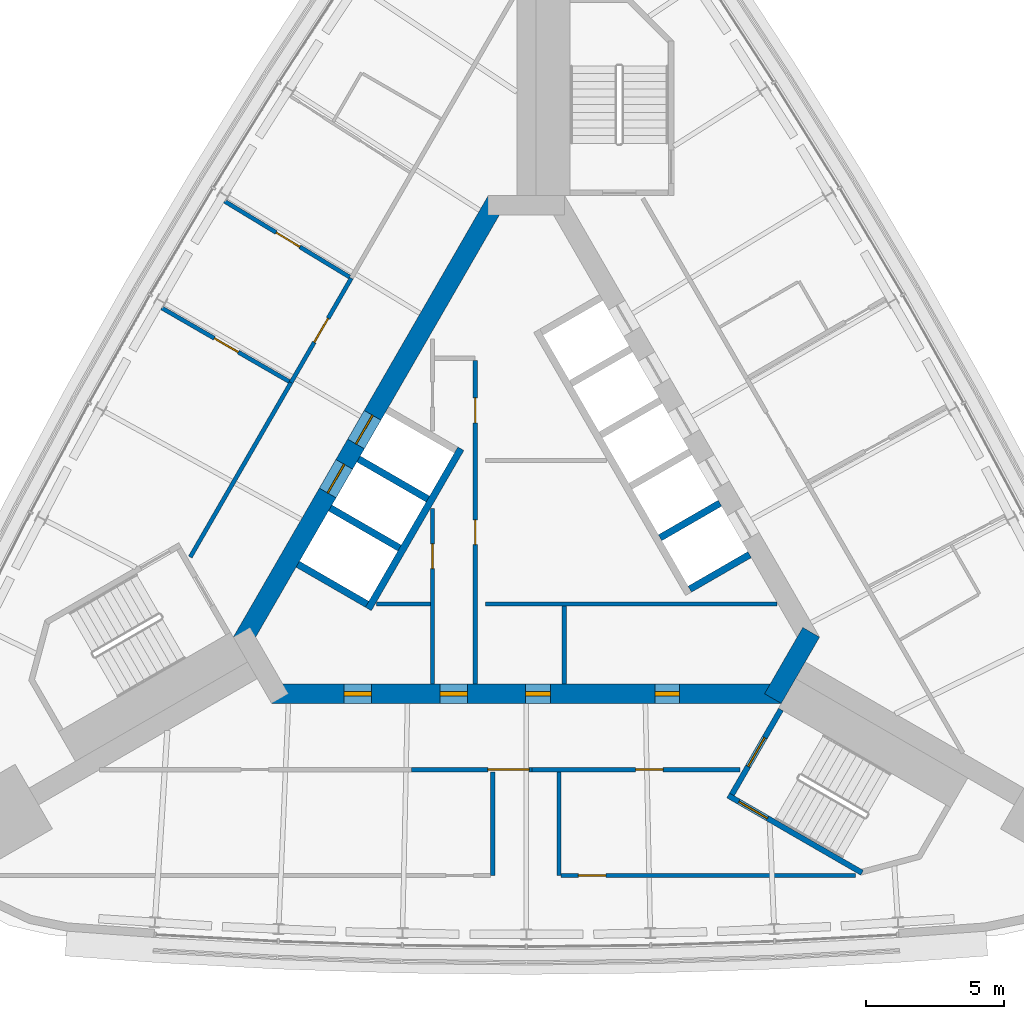
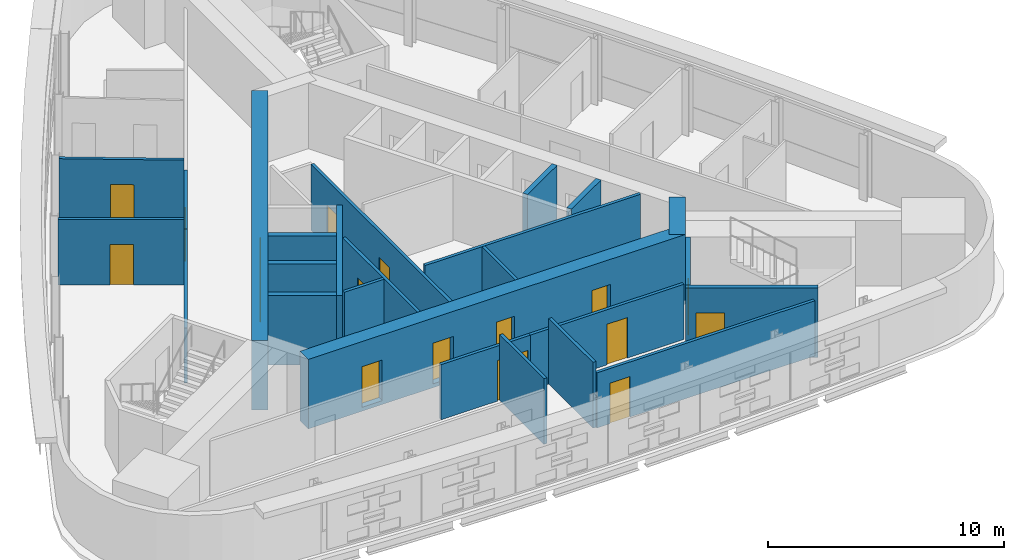
# One storey, part 7 of 10: 25 walls, 17 doors, 17 openings.
"""IFC4 building model written with IfcOpenShell, lengths in metres."""

from ifc_helpers import new_model, si_unit, direction, frame, frame_2d, origin, place, context, subcontext, project, spatial, rectangle, extrude, material, layer, layer_set, type_object, element, fill, save


model = new_model("IFC4")

# Units and contexts
model_context = context("Model", 3, precision=1e-05, world=origin(), true_north=direction((0.0, 1.0)))
body_context = subcontext(model_context, "Body", "Model", "MODEL_VIEW")
ifc_project = project(units=[si_unit("LENGTHUNIT", "METRE"), si_unit("AREAUNIT", "SQUARE_METRE"), si_unit("VOLUMEUNIT", "CUBIC_METRE"), si_unit("PLANEANGLEUNIT", "RADIAN"), si_unit("MASSUNIT", "GRAM", prefix="KILO")], contexts=[model_context])

# Site, building, storey
site_placement = place(None, origin())
site = spatial("IfcSite", under=ifc_project, at=site_placement, CompositionType="ELEMENT")
building_placement = place(site_placement, origin())
building = spatial("IfcBuilding", under=site, at=building_placement, Name="Noor Cloister Tower", CompositionType="ELEMENT")
storey_placement = place(building_placement, frame((0.0, 0.0, 192.300048828125)))
storey = spatial("IfcBuildingStorey", under=building, at=storey_placement, Name="L49", CompositionType="ELEMENT", Elevation=192.300048828125)

# Wall
ifc_material_1 = material(Name="Concrete C30/37", Category="concrete")
ifc_layer_1 = layer(ifc_material_1, 0.14990234375)
ifc_layer_set_1 = layer_set([ifc_layer_1], Name="Core partition 150 C30/37")
wall_type_1 = type_object("IfcWallType", Name="Core partition 150 C30/37", PredefinedType="PARTITIONING", material=ifc_layer_set_1)
wall_1_placement = place(storey_placement, frame((-5.430908203125, -3.328125, 0.0), z_axis=(0.0, 0.0, 1.0), x_axis=(1.0, 0.0, 0.0)))
element("IfcWall", 1, at=wall_1_placement, inside=storey, type_object=wall_type_1, Name="Core room partition L49 1", PredefinedType="PARTITIONING", context=body_context, shape_type="SweptSolid", body=[
    extrude(rectangle(XDim=1.9521484375, YDim=0.14990234375, at=frame_2d((0.97607421875, 0.0))), origin(), (0.0, 0.0, 1.0), 3.39990234375),
])

# Wall, opening, door
wall_2_placement = place(storey_placement, frame((-3.40380859375, 0.131103515625, 0.0), z_axis=(0.0, 0.0, 1.0), x_axis=(0.0, -1.0, 0.0)))
wall_2 = element("IfcWall", 2, at=wall_2_placement, inside=storey, type_object=wall_type_1, Name="Core room partition L49 2", PredefinedType="PARTITIONING", context=body_context, shape_type="SweptSolid", body=[
    extrude(rectangle(XDim=6.359375, YDim=0.14990234375, at=frame_2d((3.1796875, 0.0))), origin(), (0.0, 0.0, 1.0), 3.39990234375),
])
opening_1_placement = place(wall_2_placement, frame((1.280517578125, 0.0, 0.0)))
opening_1 = element("IfcOpeningElement", 3, at=opening_1_placement, cuts=wall_2, Name="Opening L49-905", PredefinedType="OPENING", context=body_context, shape_type="SweptSolid", body=[
    extrude(rectangle(XDim=0.89990234375, YDim=2.10009765625, at=frame_2d((0.449951171875, 1.050048828125))), frame((0.0, 0.0849609375, 0.0), z_axis=(0.0, -1.0, 0.0), x_axis=(1.0, 0.0, 0.0)), (0.0, 0.0, 1.0), 0.169921875),
])
ifc_material_2 = material(Name="Steel", Category="steel")
door_type_1 = type_object("IfcDoorType", Name="Core door 900 x 2100 FD120", OperationType="SINGLE_SWING_LEFT", PredefinedType="DOOR", material=ifc_material_2)
door_1_placement = place(opening_1_placement, origin())
door_1 = element("IfcDoor", 4, at=door_1_placement, inside=storey, type_object=door_type_1, Name="Core door 5 L49", OperationType="SINGLE_SWING_LEFT", OverallHeight=2.10009765625, OverallWidth=0.89990234375, PredefinedType="DOOR", context=body_context, shape_type="SweptSolid", body=[
    extrude(rectangle(XDim=0.89990234375, YDim=2.10009765625, at=frame_2d((0.449951171875, 1.050048828125))), frame((0.0, 0.02490234375, 0.0), z_axis=(0.0, -1.0, 0.0), x_axis=(1.0, 0.0, 0.0)), (0.0, 0.0, 1.0), 0.050048828125),
])
fill(opening_1, door_1)

# Wall, openings, doors
wall_3_placement = place(storey_placement, frame((-1.853759765625, 5.496826171875, 0.0), z_axis=(0.0, 0.0, 1.0), x_axis=(0.0, -1.0, 0.0)))
wall_3 = element("IfcWall", 5, at=wall_3_placement, inside=storey, type_object=wall_type_1, Name="Core room partition L49 5", PredefinedType="PARTITIONING", context=body_context, shape_type="SweptSolid", body=[
    extrude(rectangle(XDim=11.72509765625, YDim=0.14990234375, at=frame_2d((5.862548828125, 0.0))), origin(), (0.0, 0.0, 1.0), 3.39990234375),
])
opening_2_placement = place(wall_3_placement, frame((5.77490234375, 0.0, 0.0)))
opening_2 = element("IfcOpeningElement", 6, at=opening_2_placement, cuts=wall_3, Name="Opening L49-906", PredefinedType="OPENING", context=body_context, shape_type="SweptSolid", body=[
    extrude(rectangle(XDim=0.89990234375, YDim=2.10009765625, at=frame_2d((0.449951171875, 1.050048828125))), frame((0.0, 0.0849609375, 0.0), z_axis=(0.0, -1.0, 0.0), x_axis=(1.0, 0.0, 0.0)), (0.0, 0.0, 1.0), 0.169921875),
])
opening_3_placement = place(wall_3_placement, frame((1.363525390625, 0.0, 0.0)))
opening_3 = element("IfcOpeningElement", 7, at=opening_3_placement, cuts=wall_3, Name="Opening L49-908", PredefinedType="OPENING", context=body_context, shape_type="SweptSolid", body=[
    extrude(rectangle(XDim=0.89990234375, YDim=2.10009765625, at=frame_2d((0.449951171875, 1.050048828125))), frame((0.0, 0.0849609375, 0.0), z_axis=(0.0, -1.0, 0.0), x_axis=(1.0, 0.0, 0.0)), (0.0, 0.0, 1.0), 0.169921875),
])
door_2_placement = place(opening_3_placement, origin())
door_2 = element("IfcDoor", 8, at=door_2_placement, inside=storey, type_object=door_type_1, Name="Core door 8 L49", OperationType="SINGLE_SWING_RIGHT", OverallHeight=2.10009765625, OverallWidth=0.89990234375, PredefinedType="DOOR", context=body_context, shape_type="SweptSolid", body=[
    extrude(rectangle(XDim=0.89990234375, YDim=2.10009765625, at=frame_2d((0.449951171875, 1.050048828125))), frame((0.0, 0.02490234375, 0.0), z_axis=(0.0, -1.0, 0.0), x_axis=(1.0, 0.0, 0.0)), (0.0, 0.0, 1.0), 0.050048828125),
])
fill(opening_3, door_2)
ifc_material_3 = material(Name="Steel", Category="steel")
door_type_2 = type_object("IfcDoorType", Name="Core door 900 x 2100 FD60", OperationType="SINGLE_SWING_LEFT", PredefinedType="DOOR", material=ifc_material_3)
door_3_placement = place(opening_2_placement, origin())
door_3 = element("IfcDoor", 9, at=door_3_placement, inside=storey, type_object=door_type_2, Name="Core door 6 L49", OperationType="SINGLE_SWING_RIGHT", OverallHeight=2.10009765625, OverallWidth=0.89990234375, PredefinedType="DOOR", context=body_context, shape_type="SweptSolid", body=[
    extrude(rectangle(XDim=0.89990234375, YDim=2.10009765625, at=frame_2d((0.449951171875, 1.050048828125))), frame((0.0, 0.02490234375, 0.0), z_axis=(0.0, -1.0, 0.0), x_axis=(1.0, 0.0, 0.0)), (0.0, 0.0, 1.0), 0.050048828125),
])
fill(opening_2, door_3)

# Walls
wall_4_placement = place(storey_placement, frame((-1.478759765625, -3.328125, 0.0), z_axis=(0.0, 0.0, 1.0), x_axis=(1.0, 0.0, 0.0)))
element("IfcWall", 10, at=wall_4_placement, inside=storey, type_object=wall_type_1, Name="Core room partition L49 6", PredefinedType="PARTITIONING", context=body_context, shape_type="SweptSolid", body=[
    extrude(rectangle(XDim=10.546875, YDim=0.14990234375, at=frame_2d((5.2734375, 0.0))), origin(), (0.0, 0.0, 1.0), 3.39990234375),
])
wall_5_placement = place(storey_placement, frame((1.371337890625, -3.4033203125, 0.0), z_axis=(0.0, 0.0, 1.0), x_axis=(0.0, -1.0, 0.0)))
element("IfcWall", 11, at=wall_5_placement, inside=storey, type_object=wall_type_1, Name="Core room partition L49 8", PredefinedType="PARTITIONING", context=body_context, shape_type="SweptSolid", body=[
    extrude(rectangle(XDim=2.824951171875, YDim=0.14990234375, at=frame_2d((1.41259765625, 0.0))), origin(), (0.0, 0.0, 1.0), 3.39990234375),
])

# Wall, openings, doors
ifc_material_4 = material(Name="Concrete C70/85", Category="concrete")
ifc_layer_2 = layer(ifc_material_4, 0.699951171875)
ifc_layer_set_2 = layer_set([ifc_layer_2], Name="Core wall 700 C70/85")
wall_type_2 = type_object("IfcWallType", Name="Core wall 700 C70/85", PredefinedType="SHEAR", material=ifc_layer_set_2)
wall_6_placement = place(storey_placement, frame((-9.228759765625, -6.578125, -0.199951171875), z_axis=(0.0, 0.0, 1.0), x_axis=(1.0, 0.0, 0.0)))
wall_6 = element("IfcWall", 12, at=wall_6_placement, inside=storey, type_object=wall_type_2, Name="Core wall L49 1", PredefinedType="SHEAR", context=body_context, shape_type="SweptSolid", body=[
    extrude(rectangle(XDim=18.45751953125, YDim=0.699951171875, at=frame_2d((9.228759765625, 0.0))), origin(), (0.0, 0.0, 1.0), 3.599853515625),
])
opening_4_placement = place(wall_6_placement, frame((6.10009765625, 0.0, 0.199951171875)))
opening_4 = element("IfcOpeningElement", 13, at=opening_4_placement, cuts=wall_6, Name="Opening L49-901", PredefinedType="OPENING", context=body_context, shape_type="SweptSolid", body=[
    extrude(rectangle(XDim=1.0, YDim=2.10009765625, at=frame_2d((0.5, 1.050048828125))), frame((0.0, 0.35986328125, 0.0), z_axis=(0.0, -1.0, 0.0), x_axis=(1.0, 0.0, 0.0)), (0.0, 0.0, 1.0), 0.719970703125),
])
opening_5_placement = place(wall_6_placement, frame((2.614501953125, 0.0, 0.199951171875)))
opening_5 = element("IfcOpeningElement", 14, at=opening_5_placement, cuts=wall_6, Name="Opening L49-902", PredefinedType="OPENING", context=body_context, shape_type="SweptSolid", body=[
    extrude(rectangle(XDim=1.0, YDim=2.10009765625, at=frame_2d((0.5, 1.050048828125))), frame((0.0, 0.35986328125, 0.0), z_axis=(0.0, -1.0, 0.0), x_axis=(1.0, 0.0, 0.0)), (0.0, 0.0, 1.0), 0.719970703125),
])
opening_6_placement = place(wall_6_placement, frame((9.197509765625, 0.0, 0.199951171875)))
opening_6 = element("IfcOpeningElement", 15, at=opening_6_placement, cuts=wall_6, Name="Opening L49-903", PredefinedType="OPENING", context=body_context, shape_type="SweptSolid", body=[
    extrude(rectangle(XDim=0.89990234375, YDim=2.10009765625, at=frame_2d((0.449951171875, 1.050048828125))), frame((0.0, 0.35986328125, 0.0), z_axis=(0.0, -1.0, 0.0), x_axis=(1.0, 0.0, 0.0)), (0.0, 0.0, 1.0), 0.719970703125),
])
opening_7_placement = place(wall_6_placement, frame((13.876708984375, 0.0, 0.199951171875)))
opening_7 = element("IfcOpeningElement", 16, at=opening_7_placement, cuts=wall_6, Name="Opening L49-904", PredefinedType="OPENING", context=body_context, shape_type="SweptSolid", body=[
    extrude(rectangle(XDim=0.89990234375, YDim=2.10009765625, at=frame_2d((0.449951171875, 1.050048828125))), frame((0.0, 0.35986328125, 0.0), z_axis=(0.0, -1.0, 0.0), x_axis=(1.0, 0.0, 0.0)), (0.0, 0.0, 1.0), 0.719970703125),
])
ifc_material_5 = material(Name="Steel", Category="steel")
door_type_3 = type_object("IfcDoorType", Name="Core door 1000 x 2100 FD120", OperationType="SINGLE_SWING_LEFT", PredefinedType="DOOR", material=ifc_material_5)
door_4_placement = place(opening_4_placement, origin())
door_4 = element("IfcDoor", 17, at=door_4_placement, inside=storey, type_object=door_type_3, Name="Core door 1 L49", OperationType="SINGLE_SWING_LEFT", OverallHeight=2.10009765625, OverallWidth=1.0, PredefinedType="DOOR", context=body_context, shape_type="SweptSolid", body=[
    extrude(rectangle(XDim=1.0, YDim=2.10009765625, at=frame_2d((0.5, 1.050048828125))), frame((0.0, 0.074951171875, 0.0), z_axis=(0.0, -1.0, 0.0), x_axis=(1.0, 0.0, 0.0)), (0.0, 0.0, 1.0), 0.14990234375),
])
fill(opening_4, door_4)
ifc_material_6 = material(Name="Steel", Category="steel")
door_type_4 = type_object("IfcDoorType", Name="Core door 1000 x 2100 FD60", OperationType="SINGLE_SWING_LEFT", PredefinedType="DOOR", material=ifc_material_6)
door_5_placement = place(opening_5_placement, origin())
door_5 = element("IfcDoor", 18, at=door_5_placement, inside=storey, type_object=door_type_4, Name="Core door 2 L49", OperationType="SINGLE_SWING_RIGHT", OverallHeight=2.10009765625, OverallWidth=1.0, PredefinedType="DOOR", context=body_context, shape_type="SweptSolid", body=[
    extrude(rectangle(XDim=1.0, YDim=2.10009765625, at=frame_2d((0.5, 1.050048828125))), frame((0.0, 0.074951171875, 0.0), z_axis=(0.0, -1.0, 0.0), x_axis=(1.0, 0.0, 0.0)), (0.0, 0.0, 1.0), 0.14990234375),
])
fill(opening_5, door_5)
door_6_placement = place(opening_7_placement, origin())
door_6 = element("IfcDoor", 19, at=door_6_placement, inside=storey, type_object=door_type_1, Name="Core door 4 L49", OperationType="SINGLE_SWING_RIGHT", OverallHeight=2.10009765625, OverallWidth=0.89990234375, PredefinedType="DOOR", context=body_context, shape_type="SweptSolid", body=[
    extrude(rectangle(XDim=0.89990234375, YDim=2.10009765625, at=frame_2d((0.449951171875, 1.050048828125))), frame((0.0, 0.074951171875, 0.0), z_axis=(0.0, -1.0, 0.0), x_axis=(1.0, 0.0, 0.0)), (0.0, 0.0, 1.0), 0.14990234375),
])
fill(opening_7, door_6)
door_7_placement = place(opening_6_placement, origin())
door_7 = element("IfcDoor", 20, at=door_7_placement, inside=storey, type_object=door_type_2, Name="Core door 3 L49", OperationType="SINGLE_SWING_LEFT", OverallHeight=2.10009765625, OverallWidth=0.89990234375, PredefinedType="DOOR", context=body_context, shape_type="SweptSolid", body=[
    extrude(rectangle(XDim=0.89990234375, YDim=2.10009765625, at=frame_2d((0.449951171875, 1.050048828125))), frame((0.0, 0.074951171875, 0.0), z_axis=(0.0, -1.0, 0.0), x_axis=(1.0, 0.0, 0.0)), (0.0, 0.0, 1.0), 0.14990234375),
])
fill(opening_6, door_7)

# Wall
wall_7_placement = place(storey_placement, frame((8.925537109375, -6.753173828125, -0.199951171875), z_axis=(0.0, 0.0, 1.0), x_axis=(0.500042739161, 0.866000726912, 0.0)))
element("IfcWall", 21, at=wall_7_placement, inside=storey, type_object=wall_type_2, Name="Core wall L49 2", PredefinedType="SHEAR", context=body_context, shape_type="SweptSolid", body=[
    extrude(rectangle(XDim=2.771240234375, YDim=0.699951171875, at=frame_2d((1.3857421875, 0.0))), origin(), (0.0, 0.0, 1.0), 3.599853515625),
])

# Wall, openings, doors
wall_8_placement = place(storey_placement, frame((-1.08251953125, 11.281494140625, -0.199951171875), z_axis=(0.0, 0.0, 1.0), x_axis=(-0.500001446645, -0.866024568562, 0.0)))
wall_8 = element("IfcWall", 22, at=wall_8_placement, inside=storey, type_object=wall_type_2, Name="Core wall L49 5", PredefinedType="SHEAR", context=body_context, shape_type="SweptSolid", body=[
    extrude(rectangle(XDim=18.45751953125, YDim=0.699951171875, at=frame_2d((9.228759765625, 0.0))), origin(), (0.0, 0.0, 1.0), 3.599853515625),
])
opening_8_placement = place(wall_8_placement, frame((8.978759765625, 0.0, 0.199951171875)))
opening_8 = element("IfcOpeningElement", 23, at=opening_8_placement, cuts=wall_8, Name="Opening L49-FF1", PredefinedType="OPENING", context=body_context, shape_type="SweptSolid", body=[
    extrude(rectangle(XDim=1.199951171875, YDim=2.10009765625, at=frame_2d((0.60009765625, 1.050048828125))), frame((0.0, 0.35986328125, 0.0), z_axis=(0.0, -1.0, 0.0), x_axis=(1.0, 0.0, 0.0)), (0.0, 0.0, 1.0), 0.719970703125),
])
opening_9_placement = place(wall_8_placement, frame((11.02880859375, 0.0, 0.199951171875)))
opening_9 = element("IfcOpeningElement", 24, at=opening_9_placement, cuts=wall_8, Name="Opening L49-FF2", PredefinedType="OPENING", context=body_context, shape_type="SweptSolid", body=[
    extrude(rectangle(XDim=1.199951171875, YDim=2.10009765625, at=frame_2d((0.60009765625, 1.050048828125))), frame((0.0, 0.35986328125, 0.0), z_axis=(0.0, -1.0, 0.0), x_axis=(1.0, 0.0, 0.0)), (0.0, 0.0, 1.0), 0.719970703125),
])
ifc_material_7 = material(Name="Stainless steel", Category="steel")
door_type_5 = type_object("IfcDoorType", Name="Lift landing door 1200 x 2100", OperationType="DOUBLE_DOOR_SLIDING", PredefinedType="DOOR", material=ifc_material_7)
door_8_placement = place(opening_8_placement, origin())
door_8 = element("IfcDoor", 25, at=door_8_placement, inside=storey, type_object=door_type_5, Name="Landing door FF1 L49", OperationType="DOUBLE_DOOR_SLIDING", OverallHeight=2.10009765625, OverallWidth=1.199951171875, PredefinedType="DOOR", context=body_context, shape_type="SweptSolid", body=[
    extrude(rectangle(XDim=1.199951171875, YDim=2.10009765625, at=frame_2d((0.60009765625, 1.050048828125))), frame((0.0, 0.02490234375, 0.0), z_axis=(0.0, -1.0, 0.0), x_axis=(1.0, 0.0, 0.0)), (0.0, 0.0, 1.0), 0.050048828125),
])
fill(opening_8, door_8)
door_9_placement = place(opening_9_placement, origin())
door_9 = element("IfcDoor", 26, at=door_9_placement, inside=storey, type_object=door_type_5, Name="Landing door FF2 L49", OperationType="DOUBLE_DOOR_SLIDING", OverallHeight=2.10009765625, OverallWidth=1.199951171875, PredefinedType="DOOR", context=body_context, shape_type="SweptSolid", body=[
    extrude(rectangle(XDim=1.199951171875, YDim=2.10009765625, at=frame_2d((0.60009765625, 1.050048828125))), frame((0.0, 0.02490234375, 0.0), z_axis=(0.0, -1.0, 0.0), x_axis=(1.0, 0.0, 0.0)), (0.0, 0.0, 1.0), 0.050048828125),
])
fill(opening_9, door_9)

# Wall
ifc_material_8 = material(Name="Fire-rated gypsum board partition on steel studs, 150 mm", Category="steel")
ifc_layer_3 = layer(ifc_material_8, 0.14990234375)
ifc_layer_set_3 = layer_set([ifc_layer_3], Name="Fire lobby wall 150")
wall_type_3 = type_object("IfcWallType", Name="Fire lobby wall 150", PredefinedType="PARTITIONING", material=ifc_layer_set_3)
wall_9_placement = place(storey_placement, frame((-8.52490234375, 4.69091796875, 0.0), z_axis=(0.0, 0.0, 1.0), x_axis=(-0.499986021771, -0.866033473968, 0.0)))
element("IfcWall", 27, at=wall_9_placement, inside=storey, type_object=wall_type_3, Name="Wall L49-W19", PredefinedType="PARTITIONING", context=body_context, shape_type="SweptSolid", body=[
    extrude(rectangle(XDim=7.296630859375, YDim=0.14990234375, at=frame_2d((3.6484375, 0.0))), origin(), (0.0, 0.0, 1.0), 2.85205078125),
])

# Wall, opening, door
wall_10_placement = place(storey_placement, frame((-6.3408203125, 8.473876953125, 0.0), z_axis=(0.0, 0.0, 1.0), x_axis=(-0.49999822179, -0.866026430432, 0.0)))
wall_10 = element("IfcWall", 28, at=wall_10_placement, inside=storey, type_object=wall_type_3, Name="Wall L49-W22", PredefinedType="PARTITIONING", context=body_context, shape_type="SweptSolid", body=[
    extrude(rectangle(XDim=4.3681640625, YDim=0.14990234375, at=frame_2d((2.18408203125, 0.0))), origin(), (0.0, 0.0, 1.0), 2.85205078125),
])
opening_10_placement = place(wall_10_placement, frame((1.68408203125, 0.0, 0.0)))
opening_10 = element("IfcOpeningElement", 29, at=opening_10_placement, cuts=wall_10, Name="Opening L49-012", PredefinedType="OPENING", context=body_context, shape_type="SweptSolid", body=[
    extrude(rectangle(XDim=1.0, YDim=2.10009765625, at=frame_2d((0.5, 1.050048828125))), frame((0.0, 0.0849609375, 0.0), z_axis=(0.0, -1.0, 0.0), x_axis=(1.0, 0.0, 0.0)), (0.0, 0.0, 1.0), 0.169921875),
])
ifc_material_9 = material(Name="Timber door leaf with steel frame", Category="steel")
door_type_6 = type_object("IfcDoorType", Name="Fire lobby door 1000", OperationType="NOTDEFINED", PredefinedType="DOOR", material=ifc_material_9)
door_10_placement = place(opening_10_placement, origin())
door_10 = element("IfcDoor", 30, at=door_10_placement, inside=storey, type_object=door_type_6, Name="Door L49-012", OperationType="SINGLE_SWING_RIGHT", OverallHeight=2.10009765625, OverallWidth=1.0, PredefinedType="DOOR", context=body_context, shape_type="SweptSolid", body=[
    extrude(rectangle(XDim=1.0, YDim=2.10009765625, at=frame_2d((0.5, 1.050048828125))), frame((0.0, 0.02490234375, 0.0), z_axis=(0.0, -1.0, 0.0), x_axis=(1.0, 0.0, 0.0)), (0.0, 0.0, 1.0), 0.050048828125),
])
fill(opening_10, door_10)

ifc_material_10 = material(Name="Gypsum board partition on steel studs, 150 mm", Category="steel")
ifc_layer_4 = layer(ifc_material_10, 0.14990234375)
ifc_layer_set_4 = layer_set([ifc_layer_4], Name="Flat wall 150")
wall_type_4 = type_object("IfcWallType", Name="Flat wall 150", PredefinedType="PARTITIONING", material=ifc_layer_set_4)
wall_11_placement = place(storey_placement, frame((0.199951171875, -9.328125, 0.0), z_axis=(0.0, 0.0, 1.0), x_axis=(1.0, 0.0, 0.0)))
wall_11 = element("IfcWall", 31, at=wall_11_placement, inside=storey, type_object=wall_type_4, Name="Wall L49-W12", PredefinedType="PARTITIONING", context=body_context, shape_type="SweptSolid", body=[
    extrude(rectangle(XDim=7.527587890625, YDim=0.14990234375, at=frame_2d((3.763671875, 0.0))), origin(), (0.0, 0.0, 1.0), 2.85205078125),
])
opening_11_placement = place(wall_11_placement, frame((3.753173828125, 0.0, 0.0)))
opening_11 = element("IfcOpeningElement", 32, at=opening_11_placement, cuts=wall_11, Name="Opening L49-011", PredefinedType="OPENING", context=body_context, shape_type="SweptSolid", body=[
    extrude(rectangle(XDim=1.0, YDim=2.10009765625, at=frame_2d((0.5, 1.050048828125))), frame((0.0, 0.0849609375, 0.0), z_axis=(0.0, -1.0, 0.0), x_axis=(1.0, 0.0, 0.0)), (0.0, 0.0, 1.0), 0.169921875),
])
ifc_material_11 = material(Name="Timber door leaf with steel frame", Category="steel")
door_type_7 = type_object("IfcDoorType", Name="Interior door 1000 FD60", OperationType="NOTDEFINED", PredefinedType="DOOR", material=ifc_material_11)
door_11_placement = place(opening_11_placement, origin())
door_11 = element("IfcDoor", 33, at=door_11_placement, inside=storey, type_object=door_type_7, Name="Door L49-011", OperationType="SINGLE_SWING_LEFT", OverallHeight=2.10009765625, OverallWidth=1.0, PredefinedType="DOOR", context=body_context, shape_type="SweptSolid", body=[
    extrude(rectangle(XDim=1.0, YDim=2.10009765625, at=frame_2d((0.5, 1.050048828125))), frame((0.0, 0.02490234375, 0.0), z_axis=(0.0, -1.0, 0.0), x_axis=(1.0, 0.0, 0.0)), (0.0, 0.0, 1.0), 0.050048828125),
])
fill(opening_11, door_11)

wall_12_placement = place(storey_placement, frame((-4.15966796875, -9.328125, 0.0), z_axis=(0.0, 0.0, 1.0), x_axis=(1.0, 0.0, 0.0)))
wall_12 = element("IfcWall", 34, at=wall_12_placement, inside=storey, type_object=wall_type_4, Name="Wall L49-W13", PredefinedType="PARTITIONING", context=body_context, shape_type="SweptSolid", body=[
    extrude(rectangle(XDim=4.359619140625, YDim=0.14990234375, at=frame_2d((2.1796875, 0.0))), origin(), (0.0, 0.0, 1.0), 2.85205078125),
])
opening_12_placement = place(wall_12_placement, frame((2.759765625, 0.0, 0.0)))
opening_12 = element("IfcOpeningElement", 35, at=opening_12_placement, cuts=wall_12, Name="Opening L49-007", PredefinedType="OPENING", context=body_context, shape_type="SweptSolid", body=[
    extrude(rectangle(XDim=1.5, YDim=2.10009765625, at=frame_2d((0.75, 1.050048828125))), frame((0.0, 0.0849609375, 0.0), z_axis=(0.0, -1.0, 0.0), x_axis=(1.0, 0.0, 0.0)), (0.0, 0.0, 1.0), 0.169921875),
])
ifc_material_12 = material(Name="Timber door leaf with steel frame", Category="steel")
door_type_8 = type_object("IfcDoorType", Name="Double door 1500 FD60", OperationType="NOTDEFINED", PredefinedType="DOOR", material=ifc_material_12)
door_12_placement = place(opening_12_placement, origin())
door_12 = element("IfcDoor", 36, at=door_12_placement, inside=storey, type_object=door_type_8, Name="Door L49-007", OperationType="DOUBLE_DOOR_SINGLE_SWING", OverallHeight=2.10009765625, OverallWidth=1.5, PredefinedType="DOOR", context=body_context, shape_type="SweptSolid", body=[
    extrude(rectangle(XDim=1.5, YDim=2.10009765625, at=frame_2d((0.75, 1.050048828125))), frame((0.0, 0.02490234375, 0.0), z_axis=(0.0, -1.0, 0.0), x_axis=(1.0, 0.0, 0.0)), (0.0, 0.0, 1.0), 0.050048828125),
])
fill(opening_12, door_12)

# Walls
for number, where, z_axis, x_axis, name in (
    (37, (-1.221435546875, -9.4033203125, 0.0), (0.0, 0.0, 1.0), (0.0, -1.0, 0.0), "Wall L49-W14"),
    (38, (1.1787109375, -9.4033203125, 0.0), (0.0, 0.0, 1.0), (0.0, -1.0, 0.0), "Wall L49-W15"),
):
    element("IfcWall", number, at=place(storey_placement, frame(where, z_axis=z_axis, x_axis=x_axis)), inside=storey, type_object=wall_type_4, Name=name, PredefinedType="PARTITIONING", context=body_context, shape_type="SweptSolid", body=[
        extrude(rectangle(XDim=3.752685546875, YDim=0.14990234375, at=frame_2d((1.87646484375, 0.0))), origin(), (0.0, 0.0, 1.0), 3.39990234375),
    ])

# Wall, opening, door
wall_13_placement = place(storey_placement, frame((1.253662109375, -13.156005859375, 0.0), z_axis=(0.0, 0.0, 1.0), x_axis=(1.0, 0.0, 0.0)))
wall_13 = element("IfcWall", 39, at=wall_13_placement, inside=storey, type_object=wall_type_4, Name="Wall L49-W17", PredefinedType="PARTITIONING", context=body_context, shape_type="SweptSolid", body=[
    extrude(rectangle(XDim=10.662109375, YDim=0.14990234375, at=frame_2d((5.3310546875, 0.0))), origin(), (0.0, 0.0, 1.0), 2.85205078125),
])
opening_13_placement = place(wall_13_placement, frame((0.625, 0.0, 0.0)))
opening_13 = element("IfcOpeningElement", 40, at=opening_13_placement, cuts=wall_13, Name="Opening L49-010", PredefinedType="OPENING", context=body_context, shape_type="SweptSolid", body=[
    extrude(rectangle(XDim=1.0, YDim=2.10009765625, at=frame_2d((0.5, 1.050048828125))), frame((0.0, 0.0849609375, 0.0), z_axis=(0.0, -1.0, 0.0), x_axis=(1.0, 0.0, 0.0)), (0.0, 0.0, 1.0), 0.169921875),
])
door_13_placement = place(opening_13_placement, origin())
door_13 = element("IfcDoor", 41, at=door_13_placement, inside=storey, type_object=door_type_7, Name="Door L49-010", OperationType="SINGLE_SWING_RIGHT", OverallHeight=2.10009765625, OverallWidth=1.0, PredefinedType="DOOR", context=body_context, shape_type="SweptSolid", body=[
    extrude(rectangle(XDim=1.0, YDim=2.10009765625, at=frame_2d((0.5, 1.050048828125))), frame((0.0, 0.02490234375, 0.0), z_axis=(0.0, -1.0, 0.0), x_axis=(1.0, 0.0, 0.0)), (0.0, 0.0, 1.0), 0.050048828125),
])
fill(opening_13, door_13)

wall_14_placement = place(storey_placement, frame((-10.93115234375, 11.25830078125, 0.0), z_axis=(0.0, 0.0, 1.0), x_axis=(0.855021240233, -0.51859297985, 0.0)))
wall_14 = element("IfcWall", 42, at=wall_14_placement, inside=storey, type_object=wall_type_4, Name="Wall L49-W20", PredefinedType="PARTITIONING", context=body_context, shape_type="SweptSolid", body=[
    extrude(rectangle(XDim=5.2939453125, YDim=0.14990234375, at=frame_2d((2.64697265625, 0.0))), origin(), (0.0, 0.0, 1.0), 3.39990234375),
])
opening_14_placement = place(wall_14_placement, frame((2.184326171875, 0.0, 0.0)))
opening_14 = element("IfcOpeningElement", 43, at=opening_14_placement, cuts=wall_14, Name="Opening L49-015", PredefinedType="OPENING", context=body_context, shape_type="SweptSolid", body=[
    extrude(rectangle(XDim=1.0, YDim=2.10009765625, at=frame_2d((0.5, 1.050048828125))), frame((0.0, 0.0849609375, 0.0), z_axis=(0.0, -1.0, 0.0), x_axis=(1.0, 0.0, 0.0)), (0.0, 0.0, 1.0), 0.169921875),
])
ifc_material_13 = material(Name="Timber door leaf with steel frame", Category="steel")
door_type_9 = type_object("IfcDoorType", Name="Flat entrance door 1000", OperationType="NOTDEFINED", PredefinedType="DOOR", material=ifc_material_13)
door_14_placement = place(opening_14_placement, origin())
door_14 = element("IfcDoor", 44, at=door_14_placement, inside=storey, type_object=door_type_9, Name="Door L49-015", OperationType="SINGLE_SWING_LEFT", OverallHeight=2.10009765625, OverallWidth=1.0, PredefinedType="DOOR", context=body_context, shape_type="SweptSolid", body=[
    extrude(rectangle(XDim=1.0, YDim=2.10009765625, at=frame_2d((0.5, 1.050048828125))), frame((0.0, 0.02490234375, 0.0), z_axis=(0.0, -1.0, 0.0), x_axis=(1.0, 0.0, 0.0)), (0.0, 0.0, 1.0), 0.050048828125),
])
fill(opening_14, door_14)

wall_15_placement = place(storey_placement, frame((-13.211669921875, 7.396728515625, 0.0), z_axis=(0.0, 0.0, 1.0), x_axis=(0.866041606145, -0.499971935638, 0.0)))
wall_15 = element("IfcWall", 45, at=wall_15_placement, inside=storey, type_object=wall_type_4, Name="Wall L49-W21", PredefinedType="PARTITIONING", context=body_context, shape_type="SweptSolid", body=[
    extrude(rectangle(XDim=5.336669921875, YDim=0.14990234375, at=frame_2d((2.66845703125, 0.0))), origin(), (0.0, 0.0, 1.0), 3.39990234375),
])
opening_15_placement = place(wall_15_placement, frame((2.205810546875, 0.0, 0.0)))
opening_15 = element("IfcOpeningElement", 46, at=opening_15_placement, cuts=wall_15, Name="Opening L49-016", PredefinedType="OPENING", context=body_context, shape_type="SweptSolid", body=[
    extrude(rectangle(XDim=1.0, YDim=2.10009765625, at=frame_2d((0.5, 1.050048828125))), frame((0.0, 0.0849609375, 0.0), z_axis=(0.0, -1.0, 0.0), x_axis=(1.0, 0.0, 0.0)), (0.0, 0.0, 1.0), 0.169921875),
])
door_15_placement = place(opening_15_placement, origin())
door_15 = element("IfcDoor", 47, at=door_15_placement, inside=storey, type_object=door_type_7, Name="Door L49-016", OperationType="SINGLE_SWING_RIGHT", OverallHeight=2.10009765625, OverallWidth=1.0, PredefinedType="DOOR", context=body_context, shape_type="SweptSolid", body=[
    extrude(rectangle(XDim=1.0, YDim=2.10009765625, at=frame_2d((0.5, 1.050048828125))), frame((0.0, 0.02490234375, 0.0), z_axis=(0.0, -1.0, 0.0), x_axis=(1.0, 0.0, 0.0)), (0.0, 0.0, 1.0), 0.050048828125),
])
fill(opening_15, door_15)

# Walls
ifc_material_14 = material(Name="Concrete C70/85", Category="concrete")
ifc_layer_5 = layer(ifc_material_14, 0.25)
ifc_layer_set_5 = layer_set([ifc_layer_5], Name="Shaft wall 250 C70/85")
wall_type_5 = type_object("IfcWallType", Name="Shaft wall 250 C70/85", PredefinedType="PARTITIONING", material=ifc_layer_set_5)
for number, where, z_axis, x_axis, name in (
    (48, (8.081298828125, -1.540771484375, -0.199951171875), (0.0, 0.0, 1.0), (-0.866022959057, -0.500004234368, 0.0), "Lift shaft wall L49 NE 1"),
    (49, (7.00634765625, 0.3212890625, -0.199951171875), (0.0, 0.0, 1.0), (-0.866022959057, -0.500004234368, 0.0), "Lift shaft wall L49 NE 2"),
):
    element("IfcWall", number, at=place(storey_placement, frame(where, z_axis=z_axis, x_axis=x_axis)), inside=storey, type_object=wall_type_5, Name=name, PredefinedType="PARTITIONING", context=body_context, shape_type="SweptSolid", body=[
        extrude(rectangle(XDim=2.5, YDim=0.25, at=frame_2d((1.25, 0.0))), origin(), (0.0, 0.0, 1.0), 3.599853515625),
    ])
for number, where, z_axis, x_axis, name in (
    (50, (-6.081298828125, 1.92333984375, -0.199951171875), (0.0, 0.0, 1.0), (0.866032775405, -0.499987231761, 0.0), "Lift shaft wall L49 NW 4"),
    (51, (-7.106201171875, 0.14794921875, -0.199951171875), (0.0, 0.0, 1.0), (0.866032775405, -0.499987231761, 0.0), "Lift shaft wall L49 NW 5"),
    (52, (-8.28125, -1.88720703125, -0.199951171875), (0.0, 0.0, 1.0), (0.866032775405, -0.499987231761, 0.0), "Lift shaft wall L49 NW 6"),
):
    element("IfcWall", number, at=place(storey_placement, frame(where, z_axis=z_axis, x_axis=x_axis)), inside=storey, type_object=wall_type_5, Name=name, PredefinedType="PARTITIONING", context=body_context, shape_type="SweptSolid", body=[
        extrude(rectangle(XDim=2.89990234375, YDim=0.25, at=frame_2d((1.449951171875, 0.0))), origin(), (0.0, 0.0, 1.0), 3.599853515625),
    ])
wall_16_placement = place(storey_placement, frame((-2.3740234375, 2.29443359375, 0.0), z_axis=(0.0, 0.0, 1.0), x_axis=(-0.500003174267, -0.866023571113, 0.0)))
element("IfcWall", 53, at=wall_16_placement, inside=storey, type_object=wall_type_5, Name="Lift shaft back wall L49 NW", PredefinedType="PARTITIONING", context=body_context, shape_type="SweptSolid", body=[
    extrude(rectangle(XDim=6.7001953125, YDim=0.25, at=frame_2d((3.35009765625, 0.0))), origin(), (0.0, 0.0, 1.0), 3.39990234375),
])

# Wall, opening, door
ifc_material_15 = material(Name="Concrete C70/85", Category="concrete")
ifc_layer_6 = layer(ifc_material_15, 0.199951171875)
ifc_layer_set_6 = layer_set([ifc_layer_6], Name="Stair enclosure wall 200 C70/85")
wall_type_6 = type_object("IfcWallType", Name="Stair enclosure wall 200 C70/85", PredefinedType="SHEAR", material=ifc_layer_set_6)
wall_17_placement = place(storey_placement, frame((7.440185546875, -10.225830078125, -0.199951171875), z_axis=(0.0, 0.0, 1.0), x_axis=(0.500022077904, 0.866012656725, 0.0)))
wall_17 = element("IfcWall", 54, at=wall_17_placement, inside=storey, type_object=wall_type_6, Name="Stair enclosure wall ST3 L49 near end", PredefinedType="SHEAR", context=body_context, shape_type="SweptSolid", body=[
    extrude(rectangle(XDim=3.550048828125, YDim=0.199951171875, at=frame_2d((1.77490234375, 0.0))), origin(), (0.0, 0.0, 1.0), 3.599853515625),
])
opening_16_placement = place(wall_17_placement, frame((1.175048828125, 0.0, 0.199951171875)))
opening_16 = element("IfcOpeningElement", 55, at=opening_16_placement, cuts=wall_17, Name="Opening L49-ST3L", PredefinedType="OPENING", context=body_context, shape_type="SweptSolid", body=[
    extrude(rectangle(XDim=1.199951171875, YDim=2.10009765625, at=frame_2d((0.60009765625, 1.050048828125))), frame((0.0, 0.10986328125, 0.0), z_axis=(0.0, -1.0, 0.0), x_axis=(1.0, 0.0, 0.0)), (0.0, 0.0, 1.0), 0.219970703125),
])
ifc_material_16 = material(Name="Steel", Category="steel")
door_type_10 = type_object("IfcDoorType", Name="Stair door 1200 x 2100 FD120", OperationType="SINGLE_SWING_LEFT", PredefinedType="DOOR", material=ifc_material_16)
door_16_placement = place(opening_16_placement, origin())
door_16 = element("IfcDoor", 56, at=door_16_placement, inside=storey, type_object=door_type_10, Name="Stair door ST3 L49", OperationType="SINGLE_SWING_RIGHT", OverallHeight=2.10009765625, OverallWidth=1.199951171875, PredefinedType="DOOR", context=body_context, shape_type="SweptSolid", body=[
    extrude(rectangle(XDim=1.199951171875, YDim=2.10009765625, at=frame_2d((0.60009765625, 1.050048828125))), frame((0.0, 0.02490234375, 0.0), z_axis=(0.0, -1.0, 0.0), x_axis=(1.0, 0.0, 0.0)), (0.0, 0.0, 1.0), 0.050048828125),
])
fill(opening_16, door_16)

wall_18_placement = place(storey_placement, frame((7.3037109375, -10.262451171875, -0.199951171875), z_axis=(0.0, 0.0, 1.0), x_axis=(0.866026594901, -0.49999793692, 0.0)))
wall_18 = element("IfcWall", 57, at=wall_18_placement, inside=storey, type_object=wall_type_6, Name="Stair enclosure wall ST3 L49 outer side", PredefinedType="SHEAR", context=body_context, shape_type="SweptSolid", body=[
    extrude(rectangle(XDim=5.60009765625, YDim=0.199951171875, at=frame_2d((2.800048828125, 0.0))), origin(), (0.0, 0.0, 1.0), 3.599853515625),
])
opening_17_placement = place(wall_18_placement, frame((0.449951171875, 0.0, 0.199951171875)))
opening_17 = element("IfcOpeningElement", 58, at=opening_17_placement, cuts=wall_18, Name="Opening L49-ST3C", PredefinedType="OPENING", context=body_context, shape_type="SweptSolid", body=[
    extrude(rectangle(XDim=1.199951171875, YDim=2.10009765625, at=frame_2d((0.60009765625, 1.050048828125))), frame((0.0, 0.10986328125, 0.0), z_axis=(0.0, -1.0, 0.0), x_axis=(1.0, 0.0, 0.0)), (0.0, 0.0, 1.0), 0.219970703125),
])
door_17_placement = place(opening_17_placement, origin())
door_17 = element("IfcDoor", 59, at=door_17_placement, inside=storey, type_object=door_type_10, Name="Stair door ST3 L49", OperationType="SINGLE_SWING_LEFT", OverallHeight=2.10009765625, OverallWidth=1.199951171875, PredefinedType="DOOR", context=body_context, shape_type="SweptSolid", body=[
    extrude(rectangle(XDim=1.199951171875, YDim=2.10009765625, at=frame_2d((0.60009765625, 1.050048828125))), frame((0.0, 0.02490234375, 0.0), z_axis=(0.0, -1.0, 0.0), x_axis=(1.0, 0.0, 0.0)), (0.0, 0.0, 1.0), 0.050048828125),
])
fill(opening_17, door_17)

save(model, "model.ifc")
